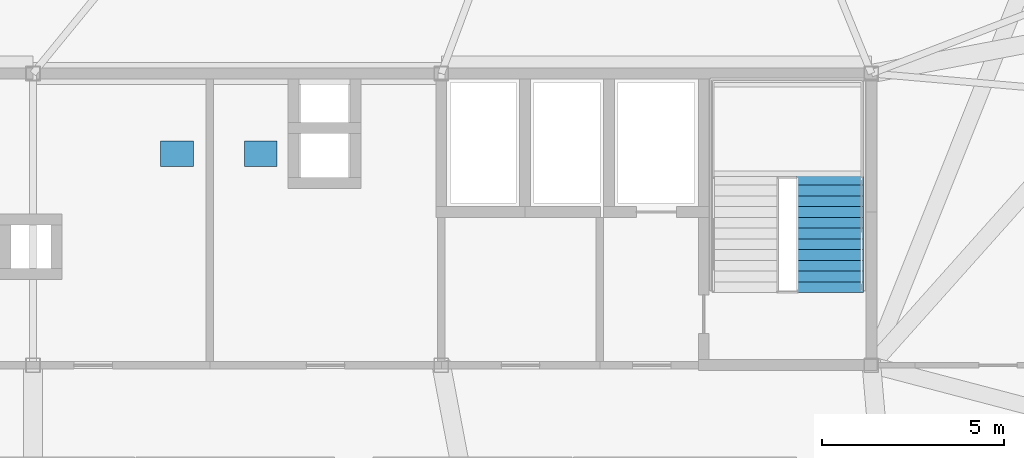
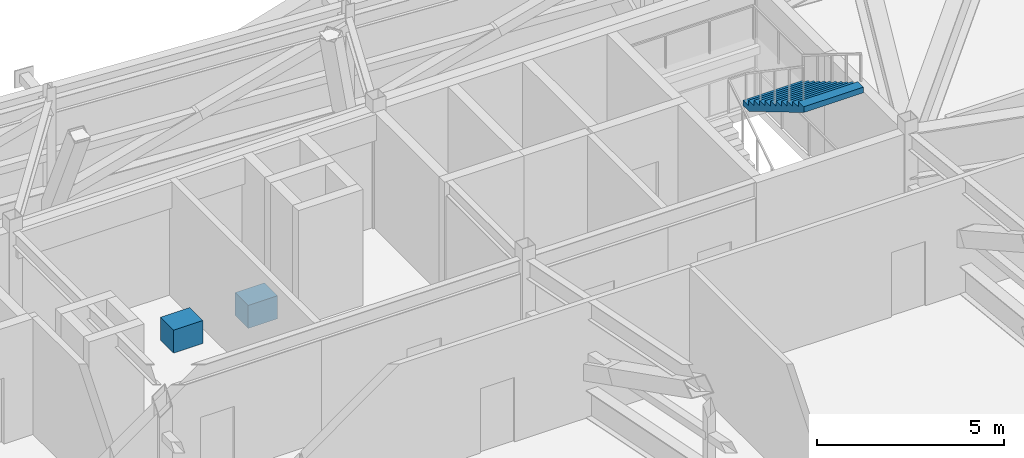
# One storey, part 23 of 24: 2 discrete accessories, 1 stair flight, 1 element without a shape of its own.
"""IFC4 building model written with IfcOpenShell, lengths in metres."""

import ifcopenshell
import ifcopenshell.guid

model = None  # the IFC model being written
_history = None  # IfcOwnerHistory: only IFC2X3 demands one
_inside = {}  # id of a spatial element -> (the spatial element, [elements in it])
_under = {}  # id of a project, library or spatial element -> (it, [spatial elements below it])
_declared = {}  # id of a project -> (the project, [libraries it declares])
_typed = {}  # id of a type object -> (the type object, [elements of that type])
_made_of = {}  # id of a material, layer set ... -> (it, [elements and type objects made of it])


def new_model(schema):
    """Start an empty IFC model of exactly this schema.

    Asked for "IFC4X3", IfcOpenShell would pick the latest addendum, in which some entities
    have other attributes; the version numbers below select the first issue.
    IFC2X3 requires an IfcOwnerHistory on every rooted entity: one is made here for all.
    """
    global model, _history
    if schema == "IFC4X3":
        model = ifcopenshell.file(schema_version=(4, 3, 0, 0))
    else:
        model = ifcopenshell.file(schema=schema)
    _inside.clear()
    _under.clear()
    _declared.clear()
    _typed.clear()
    _made_of.clear()
    _history = None
    if model.schema == "IFC2X3":
        org = make("IfcOrganization", Name="unknown")
        user = make(
            "IfcPersonAndOrganization",
            ThePerson=make("IfcPerson", FamilyName="unknown"),
            TheOrganization=org,
        )
        app = make(
            "IfcApplication",
            ApplicationDeveloper=org,
            Version="unknown",
            ApplicationFullName="unknown",
            ApplicationIdentifier="unknown",
        )
        _history = make(
            "IfcOwnerHistory",
            OwningUser=user,
            OwningApplication=app,
            ChangeAction="ADDED",
            CreationDate=0,
        )
    return model


def make(cls, **values):
    """One entity of the class cls with the attributes given. An attribute that is None is left unset."""
    return model.create_entity(
        cls, **{name: value for name, value in values.items() if value is not None}
    )


def rooted(cls, **values):
    """An entity with a GlobalId (a new one), such as an element, a storey or a relation."""
    return make(cls, GlobalId=ifcopenshell.guid.new(), OwnerHistory=_history, **values)


def si_unit(unit_type, name, prefix=None):
    """IfcSIUnit, for example si_unit("LENGTHUNIT", "METRE", prefix="MILLI")."""
    return make("IfcSIUnit", UnitType=unit_type, Prefix=prefix, Name=name)


def assignment(units):
    """IfcUnitAssignment: the units of a project."""
    return None if units is None else make("IfcUnitAssignment", Units=units)


def point(xyz):
    """IfcCartesianPoint."""
    return None if xyz is None else make("IfcCartesianPoint", Coordinates=xyz)


def direction(xyz):
    """IfcDirection."""
    return None if xyz is None else make("IfcDirection", DirectionRatios=xyz)


def frame(location, z_axis=None, x_axis=None):
    """IfcAxis2Placement3D, a coordinate frame: its origin and axes. An axis left out is left unset."""
    return make(
        "IfcAxis2Placement3D",
        Location=point(location),
        Axis=direction(z_axis),
        RefDirection=direction(x_axis),
    )


def frame_2d(location, x_axis=None):
    """IfcAxis2Placement2D, a coordinate frame in the plane: its origin and x axis."""
    return make(
        "IfcAxis2Placement2D", Location=point(location), RefDirection=direction(x_axis)
    )


def origin():
    """The frame at (0, 0, 0) with its axes left unset."""
    return frame((0.0, 0.0, 0.0))


def origin_2d():
    """The frame at (0, 0) in the plane with its x axis left unset."""
    return frame_2d((0.0, 0.0))


def place(relative_to, where):
    """IfcLocalPlacement: puts the frame where relative to a parent placement (None: the world)."""
    return make(
        "IfcLocalPlacement", PlacementRelTo=relative_to, RelativePlacement=where
    )


def context(
    kind, dimensions, precision=None, world=None, true_north=None, identifier=None
):
    """IfcGeometricRepresentationContext, for example the 3D "Model" context."""
    return make(
        "IfcGeometricRepresentationContext",
        ContextIdentifier=identifier,
        ContextType=kind,
        CoordinateSpaceDimension=dimensions,
        Precision=precision,
        WorldCoordinateSystem=world,
        TrueNorth=true_north,
    )


def subcontext(parent, identifier, kind, view, scale=None):
    """IfcGeometricRepresentationSubContext, for example "Body" below "Model"."""
    return make(
        "IfcGeometricRepresentationSubContext",
        ContextIdentifier=identifier,
        ContextType=kind,
        ParentContext=parent,
        TargetScale=scale,
        TargetView=view,
    )


def project(units=None, contexts=None):
    """IfcProject with its units and contexts."""
    return rooted(
        "IfcProject",
        Name="project",
        RepresentationContexts=contexts,
        UnitsInContext=assignment(units),
    )


def spatial(cls, under=None, at=None, **own):
    """A site, building, storey or space (cls), placed at a placement, below another one or the project."""
    s = rooted(cls, ObjectPlacement=at, **own)
    if under is not None:
        _under.setdefault(under.id(), (under, []))[1].append(s)
    return s


def polyline(points):
    """IfcPolyline through the points."""
    return make("IfcPolyline", Points=[point(p) for p in points])


def profile(cls, at=None, kind="AREA", **sizes):
    """A parametric profile (cls). Its sizes go by their IFC names, for example OverallWidth=200.0."""
    return make(cls, ProfileType=kind, Position=at, **sizes)


def rectangle(**sizes):
    """IfcRectangleProfileDef."""
    return profile("IfcRectangleProfileDef", **sizes)


def outline(outer, holes=None, kind="AREA"):
    """IfcArbitraryClosedProfileDef: a profile drawn as a closed curve; with holes, ...WithVoids."""
    if holes is None:
        return make("IfcArbitraryClosedProfileDef", ProfileType=kind, OuterCurve=outer)
    return make(
        "IfcArbitraryProfileDefWithVoids",
        ProfileType=kind,
        OuterCurve=outer,
        InnerCurves=holes,
    )


def extrude(swept, where, along, depth):
    """IfcExtrudedAreaSolid: the profile swept, set in the frame where, extruded along a direction by depth."""
    return make(
        "IfcExtrudedAreaSolid",
        SweptArea=swept,
        Position=where,
        ExtrudedDirection=direction(along),
        Depth=depth,
    )


def shape(context_of_items, identifier, shape_type, items):
    """IfcShapeRepresentation: the items that make up one representation, for example the "Body"."""
    return make(
        "IfcShapeRepresentation",
        ContextOfItems=context_of_items,
        RepresentationIdentifier=identifier,
        RepresentationType=shape_type,
        Items=items,
    )


def source(mapping_origin, context_of_items, identifier, shape_type, items):
    """IfcRepresentationMap: a shape defined once, which mapped items show again and again."""
    return make(
        "IfcRepresentationMap",
        MappingOrigin=mapping_origin,
        MappedRepresentation=shape(context_of_items, identifier, shape_type, items),
    )


def transform(
    local_origin,
    x_axis=None,
    y_axis=None,
    z_axis=None,
    scale=None,
    scale2=None,
    scale3=None,
    uniform=True,
):
    """IfcCartesianTransformationOperator3D, or its non-uniform kind. x_axis, y_axis, z_axis: its Axis1, 2, 3."""
    if uniform:
        return make(
            "IfcCartesianTransformationOperator3D",
            Axis1=direction(x_axis),
            Axis2=direction(y_axis),
            LocalOrigin=point(local_origin),
            Scale=scale,
            Axis3=direction(z_axis),
        )
    return make(
        "IfcCartesianTransformationOperator3DnonUniform",
        Axis1=direction(x_axis),
        Axis2=direction(y_axis),
        LocalOrigin=point(local_origin),
        Scale=scale,
        Axis3=direction(z_axis),
        Scale2=scale2,
        Scale3=scale3,
    )


def mapped(mapping_source, mapping_target):
    """IfcMappedItem: shows the shape of a source again, moved by a transform."""
    return make(
        "IfcMappedItem", MappingSource=mapping_source, MappingTarget=mapping_target
    )


def material(Name=None, Category=None):
    """IfcMaterial."""
    return make("IfcMaterial", Name=Name, Category=Category)


def made_of(thing, what):
    """Note that an element or type object is made of a material, layer set ...; save() writes the relation."""
    if what is not None:
        _made_of.setdefault(what.id(), (what, []))[1].append(thing)
    return thing


def type_object(cls, material=None, **own):
    """A type object (cls), such as IfcWallType, which elements share."""
    return made_of(rooted(cls, **own), material)


def element(
    cls,
    number,
    at=None,
    inside=None,
    cuts=None,
    type_object=None,
    material=None,
    context=None,
    identifier="Body",
    shape_type=None,
    held_by="IfcProductDefinitionShape",
    body=None,
    shapes=None,
    **own,
):
    """One element of the class cls, such as IfcWall. Its Tag is "e" and its number.

    at: its placement. inside: the storey or other place that contains it. cuts: it is an
    opening in that element (IfcRelVoidsElement). A single representation is given by context,
    identifier, shape_type and body (its items); several are given by shapes. held_by: the class
    of the entity that holds the representations. save() writes the other relations.
    """
    e = rooted(cls, Tag="e%d" % number, ObjectPlacement=at, **own)
    if body is not None:
        shapes = [shape(context, identifier, shape_type, body)]
    if shapes is not None:
        e.Representation = make(held_by, Representations=shapes)
    if inside is not None:
        _inside.setdefault(inside.id(), (inside, []))[1].append(e)
    if cuts is not None:
        rooted(
            "IfcRelVoidsElement", RelatingBuildingElement=cuts, RelatedOpeningElement=e
        )
    if type_object is not None:
        _typed.setdefault(type_object.id(), (type_object, []))[1].append(e)
    return made_of(e, material)


def aggregate(whole, parts):
    """IfcRelAggregates: a whole, such as a stair, and the parts it consists of."""
    return rooted("IfcRelAggregates", RelatingObject=whole, RelatedObjects=parts)


def save(model, path):
    """Write the relations noted so far, then the file.

    IfcRelAggregates (storeys below a building ...), IfcRelContainedInSpatialStructure (elements
    in a storey), IfcRelDefinesByType, IfcRelAssociatesMaterial and IfcRelDeclares: one each for
    every whole, place, type object, material and project.
    """
    for whole, parts in _under.values():
        aggregate(whole, parts)
    for where, things in _inside.values():
        rooted(
            "IfcRelContainedInSpatialStructure",
            RelatedElements=things,
            RelatingStructure=where,
        )
    for kind, things in _typed.values():
        rooted("IfcRelDefinesByType", RelatedObjects=things, RelatingType=kind)
    for what, things in _made_of.values():
        rooted("IfcRelAssociatesMaterial", RelatedObjects=things, RelatingMaterial=what)
    for by, libraries in _declared.values():
        rooted("IfcRelDeclares", RelatingContext=by, RelatedDefinitions=libraries)
    model.write(path)


model = new_model("IFC4")

# Units and contexts
model_context = context("Model", 3, precision=1e-05, world=origin(), true_north=direction((0.0, 1.0)))
body_context = subcontext(model_context, "Body", "Model", "MODEL_VIEW")
ifc_project = project(units=[si_unit("LENGTHUNIT", "METRE"), si_unit("AREAUNIT", "SQUARE_METRE"), si_unit("VOLUMEUNIT", "CUBIC_METRE"), si_unit("PLANEANGLEUNIT", "RADIAN"), si_unit("MASSUNIT", "GRAM", prefix="KILO")], contexts=[model_context])

# Site, building, storey
site_placement = place(None, origin())
site = spatial("IfcSite", under=ifc_project, at=site_placement, CompositionType="ELEMENT")
building_placement = place(site_placement, origin())
building = spatial("IfcBuilding", under=site, at=building_placement, Name="Taldren Reach Tower", CompositionType="ELEMENT")
storey_placement = place(building_placement, frame((0.0, 0.0, 164.5)))
storey = spatial("IfcBuildingStorey", under=building, at=storey_placement, Name="L50", CompositionType="ELEMENT", Elevation=164.5)

# Stair, stair flight
ifc_material_1 = material(Name="Concrete S50 (50 MPa)", Category="concrete")
stair_type = type_object("IfcStairType", Name="ST-HT-420", PredefinedType="HALF_TURN_STAIR", material=ifc_material_1)
stair_placement = place(storey_placement, origin())
stair = element("IfcStair", 1, at=stair_placement, inside=storey, type_object=stair_type, Name="Fire-isolated exit stair ST2 L50", PredefinedType="HALF_TURN_STAIR")
stair_flight_type = type_object("IfcStairFlightType", Name="SF-STR-420", PredefinedType="STRAIGHT", material=ifc_material_1)
stair_flight_placement = place(storey_placement, frame((49.860107421875, 29.235107421875, 2.10009765625), z_axis=(0.0, 0.0, 1.0), x_axis=(0.0, -1.0, 0.0)))
stair_flight = element("IfcStairFlight", 2, at=stair_flight_placement, type_object=stair_flight_type, Name="ST2 flight 2", NumberOfRisers=12, NumberOfTreads=11, PredefinedType="STRAIGHT", RiserHeight=0.175, TreadLength=0.295, context=body_context, shape_type="SweptSolid", body=[
    extrude(outline(polyline([(0.0, 0.0), (0.0, 0.175048828125), (0.294921875, 0.175048828125), (0.294921875, 0.35009765625), (0.590087890625, 0.35009765625), (0.590087890625, 0.52490234375), (0.885009765625, 0.52490234375), (0.885009765625, 0.699951171875), (1.179931640625, 0.699951171875), (1.179931640625, 0.875), (1.47509765625, 0.875), (1.47509765625, 1.050048828125), (1.77001953125, 1.050048828125), (1.77001953125, 1.22509765625), (2.06494140625, 1.22509765625), (2.06494140625, 1.39990234375), (2.360107421875, 1.39990234375), (2.360107421875, 1.574951171875), (2.655029296875, 1.574951171875), (2.655029296875, 1.75), (2.949951171875, 1.75), (2.949951171875, 1.925048828125), (3.2451171875, 1.925048828125), (3.2451171875, 2.10009765625), (3.2451171875, 1.739013671875), (0.3134765625, 0.0), (0.0, 0.0)])), frame((0.0, 0.919921875, 0.0), z_axis=(0.0, -1.0, 0.0), x_axis=(1.0, 0.0, 0.0)), (0.0, 0.0, 1.0), 1.840087890625),
])
aggregate(stair, [stair_flight])

# Discrete accessories
ifc_material_2 = material(Name="Steel Gr 350 (350PLUS)", Category="steel")
discrete_accessory_type = type_object("IfcDiscreteAccessoryType", Name="ACC-LIFT-MACH", PredefinedType="USERDEFINED", material=ifc_material_2)
shared_shape = source(origin(), body_context, "Body", "SweptSolid", [
    extrude(rectangle(XDim=0.89990234375, YDim=0.699951171875, at=origin_2d()), origin(), (0.0, 0.0, 1.0), 0.75),
])
for number, where, z_axis, x_axis, name in (
    (3, (31.949951171875, 29.800048828125, 0.0), (0.0, 0.0, 1.0), (1.0, 0.0, 0.0), "Gearless traction lift machine PM1"),
    (4, (34.25, 29.800048828125, 0.0), (0.0, 0.0, 1.0), (1.0, 0.0, 0.0), "Gearless traction lift machine PM2"),
):
    element("IfcDiscreteAccessory", number, at=place(storey_placement, frame(where, z_axis=z_axis, x_axis=x_axis)), inside=storey, type_object=discrete_accessory_type, Name=name, ObjectType="LIFT MACHINE", PredefinedType="USERDEFINED", context=body_context, shape_type="MappedRepresentation", body=[
        mapped(shared_shape, transform((0.0, 0.0, 0.0), scale=1.0)),
    ])

save(model, "model.ifc")
